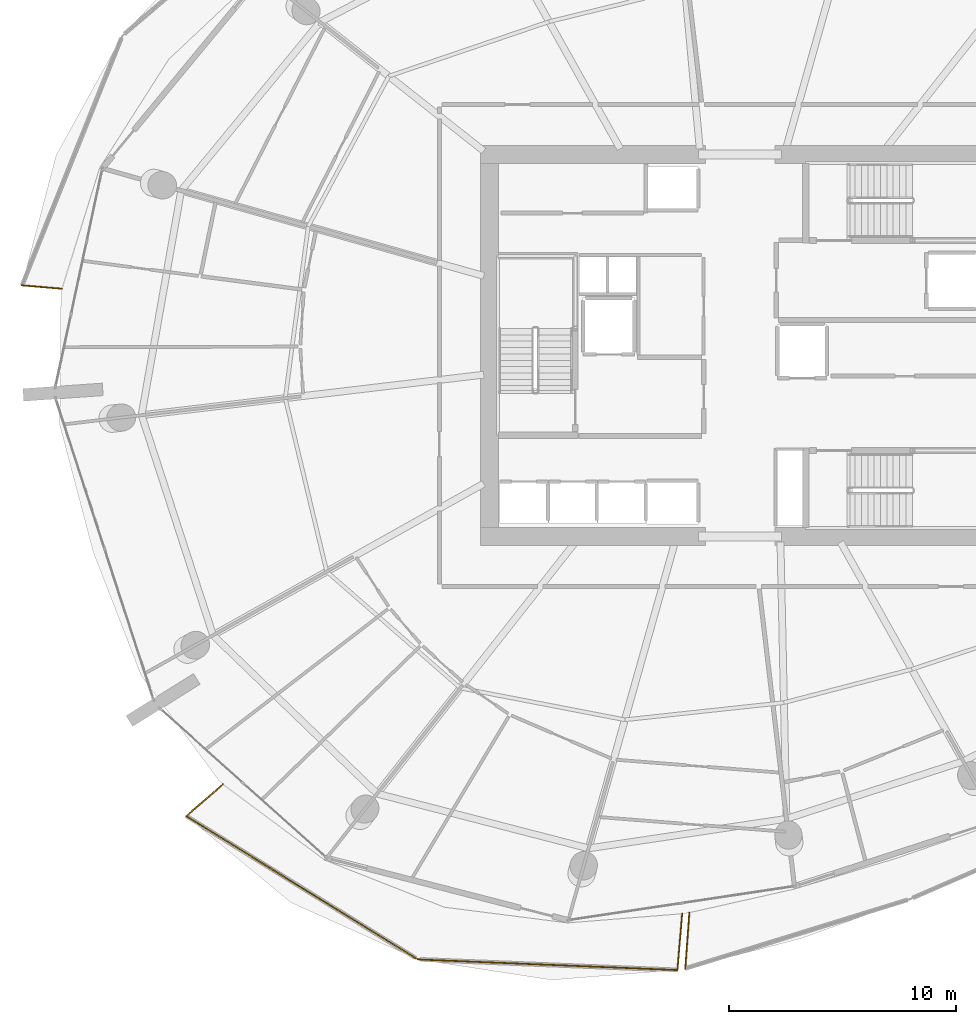
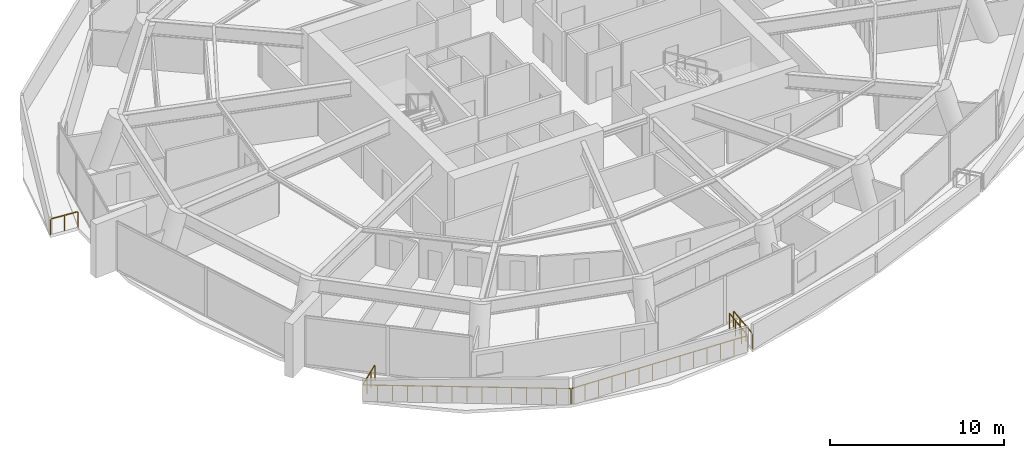
# One storey, part 17 of 23: 6 railings.
"""IFC4 building model written with IfcOpenShell, lengths in metres."""

from ifc_helpers import new_model, si_unit, direction, frame, origin, origin_2d, place, context, subcontext, project, spatial, rectangle, extrude, material, type_object, element, save


model = new_model("IFC4")

# Units and contexts
model_context = context("Model", 3, precision=1e-05, world=origin(), true_north=direction((0.0, 1.0)))
body_context = subcontext(model_context, "Body", "Model", "MODEL_VIEW")
ifc_project = project(units=[si_unit("LENGTHUNIT", "METRE"), si_unit("AREAUNIT", "SQUARE_METRE"), si_unit("VOLUMEUNIT", "CUBIC_METRE"), si_unit("PLANEANGLEUNIT", "RADIAN"), si_unit("MASSUNIT", "GRAM", prefix="KILO")], contexts=[model_context])

# Site, building, storey
site_placement = place(None, origin())
site = spatial("IfcSite", under=ifc_project, at=site_placement, CompositionType="ELEMENT")
building_placement = place(site_placement, origin())
building = spatial("IfcBuilding", under=site, at=building_placement, Name="Kazma Halo Residences", CompositionType="ELEMENT")
storey_placement = place(building_placement, frame((0.0, 0.0, 112.64990234375)))
storey = spatial("IfcBuildingStorey", under=building, at=storey_placement, Name="L28", CompositionType="ELEMENT", Elevation=112.64990234375)

# Railings
ifc_material = material(Name="Aluminium AW-6063 T6 Brushed Cap Rail", Category="aluminium")
railing_type = type_object("IfcRailingType", Name="RLG-BAL-CAP-1120", PredefinedType="BALUSTRADE", material=ifc_material)
railing_1_placement = place(storey_placement, frame((16.84033203125, 44.643798828125, 0.0)))
element("IfcRailing", 1, at=railing_1_placement, inside=storey, type_object=railing_type, Name="L28 NW wave balcony guard 4", PredefinedType="BALUSTRADE", context=body_context, shape_type="SweptSolid", body=[
    extrude(rectangle(XDim=0.050048828125, YDim=0.050048828125, at=origin_2d()), frame((0.04248046875, -0.003662109375, 1.09521484375), z_axis=(0.996422166926, -0.08451547349, 0.0), x_axis=(0.08451547349, 0.996422166926, 0.0)), (0.0, 0.0, 1.0), 1.674072265625),
    extrude(rectangle(XDim=0.0400390625, YDim=0.0400390625, at=origin_2d()), origin(), (0.0, 0.0, 1.0), 1.05810546875),
    extrude(rectangle(XDim=0.0400390625, YDim=0.0400390625, at=origin_2d()), frame((0.87646484375, -0.07421875, 0.0)), (0.0, 0.0, 1.0), 1.05810546875),
    extrude(rectangle(XDim=0.0400390625, YDim=0.0400390625, at=origin_2d()), frame((1.7529296875, -0.148681640625, 0.0)), (0.0, 0.0, 1.0), 1.05810546875),
])
railing_2_placement = place(storey_placement, frame((25.676025390625, 22.696533203125, 0.0)))
element("IfcRailing", 2, at=railing_2_placement, inside=storey, type_object=railing_type, Name="L28 SW wave balcony guard 1", PredefinedType="BALUSTRADE", context=body_context, shape_type="SweptSolid", body=[
    extrude(rectangle(XDim=0.050048828125, YDim=0.050048828125, at=origin_2d()), frame((-0.0322265625, -0.02783203125, 1.09521484375), z_axis=(-0.756384633823, -0.654127117399, 0.0), x_axis=(0.654127117399, -0.756384633823, 0.0)), (0.0, 0.0, 1.0), 2.044677734375),
    extrude(rectangle(XDim=0.0400390625, YDim=0.0400390625, at=origin_2d()), origin(), (0.0, 0.0, 1.0), 1.05810546875),
    extrude(rectangle(XDim=0.0400390625, YDim=0.0400390625, at=origin_2d()), frame((-0.536865234375, -0.46435546875, 0.0)), (0.0, 0.0, 1.0), 1.05810546875),
    extrude(rectangle(XDim=0.0400390625, YDim=0.0400390625, at=origin_2d()), frame((-1.073974609375, -0.9287109375, 0.0)), (0.0, 0.0, 1.0), 1.05810546875),
    extrude(rectangle(XDim=0.0400390625, YDim=0.0400390625, at=origin_2d()), frame((-1.61083984375, -1.39306640625, 0.0)), (0.0, 0.0, 1.0), 1.05810546875),
])
railing_3_placement = place(storey_placement, frame((24.065185546875, 21.303466796875, 0.0)))
element("IfcRailing", 3, at=railing_3_placement, inside=storey, type_object=railing_type, Name="L28 SW wave balcony guard 2", PredefinedType="BALUSTRADE", context=body_context, shape_type="SweptSolid", body=[
    extrude(rectangle(XDim=0.050048828125, YDim=0.050048828125, at=origin_2d()), frame((0.0361328125, -0.0224609375, 1.09521484375), z_axis=(0.850139519216, -0.526557497209, 0.0), x_axis=(0.526557497209, 0.850139519216, 0.0)), (0.0, 0.0, 1.0), 11.886474609375),
    extrude(rectangle(XDim=0.0400390625, YDim=0.0400390625, at=origin_2d()), origin(), (0.0, 0.0, 1.0), 1.05810546875),
    extrude(rectangle(XDim=0.0400390625, YDim=0.0400390625, at=origin_2d()), frame((0.72705078125, -0.4501953125, 0.0)), (0.0, 0.0, 1.0), 1.05810546875),
    extrude(rectangle(XDim=0.0400390625, YDim=0.0400390625, at=origin_2d()), frame((1.453857421875, -0.900634765625, 0.0)), (0.0, 0.0, 1.0), 1.05810546875),
    extrude(rectangle(XDim=0.0400390625, YDim=0.0400390625, at=origin_2d()), frame((2.180908203125, -1.350830078125, 0.0)), (0.0, 0.0, 1.0), 1.05810546875),
    extrude(rectangle(XDim=0.0400390625, YDim=0.0400390625, at=origin_2d()), frame((2.907958984375, -1.801025390625, 0.0)), (0.0, 0.0, 1.0), 1.05810546875),
    extrude(rectangle(XDim=0.0400390625, YDim=0.0400390625, at=origin_2d()), frame((3.634765625, -2.251220703125, 0.0)), (0.0, 0.0, 1.0), 1.05810546875),
    extrude(rectangle(XDim=0.0400390625, YDim=0.0400390625, at=origin_2d()), frame((4.36181640625, -2.70166015625, 0.0)), (0.0, 0.0, 1.0), 1.05810546875),
    extrude(rectangle(XDim=0.0400390625, YDim=0.0400390625, at=origin_2d()), frame((5.0888671875, -3.15185546875, 0.0)), (0.0, 0.0, 1.0), 1.05810546875),
    extrude(rectangle(XDim=0.0400390625, YDim=0.0400390625, at=origin_2d()), frame((5.815673828125, -3.60205078125, 0.0)), (0.0, 0.0, 1.0), 1.05810546875),
    extrude(rectangle(XDim=0.0400390625, YDim=0.0400390625, at=origin_2d()), frame((6.542724609375, -4.052490234375, 0.0)), (0.0, 0.0, 1.0), 1.05810546875),
    extrude(rectangle(XDim=0.0400390625, YDim=0.0400390625, at=origin_2d()), frame((7.26953125, -4.502685546875, 0.0)), (0.0, 0.0, 1.0), 1.05810546875),
    extrude(rectangle(XDim=0.0400390625, YDim=0.0400390625, at=origin_2d()), frame((7.99658203125, -4.952880859375, 0.0)), (0.0, 0.0, 1.0), 1.05810546875),
    extrude(rectangle(XDim=0.0400390625, YDim=0.0400390625, at=origin_2d()), frame((8.7236328125, -5.403076171875, 0.0)), (0.0, 0.0, 1.0), 1.05810546875),
    extrude(rectangle(XDim=0.0400390625, YDim=0.0400390625, at=origin_2d()), frame((9.450439453125, -5.853515625, 0.0)), (0.0, 0.0, 1.0), 1.05810546875),
    extrude(rectangle(XDim=0.0400390625, YDim=0.0400390625, at=origin_2d()), frame((10.177490234375, -6.3037109375, 0.0)), (0.0, 0.0, 1.0), 1.05810546875),
])
railing_4_placement = place(storey_placement, frame((34.24267578125, 14.999755859375, 0.0)))
element("IfcRailing", 4, at=railing_4_placement, inside=storey, type_object=railing_type, Name="L28 SW wave balcony guard 3", PredefinedType="BALUSTRADE", context=body_context, shape_type="SweptSolid", body=[
    extrude(rectangle(XDim=0.050048828125, YDim=0.050048828125, at=origin_2d()), frame((0.04248046875, -0.001708984375, 1.09521484375), z_axis=(0.99916398264, -0.040881973949, 0.0), x_axis=(0.040881973949, 0.99916398264, 0.0)), (0.0, 0.0, 1.0), 11.35107421875),
    extrude(rectangle(XDim=0.0400390625, YDim=0.0400390625, at=origin_2d()), origin(), (0.0, 0.0, 1.0), 1.05810546875),
    extrude(rectangle(XDim=0.0400390625, YDim=0.0400390625, at=origin_2d()), frame((0.87890625, -0.035888671875, 0.0)), (0.0, 0.0, 1.0), 1.05810546875),
    extrude(rectangle(XDim=0.0400390625, YDim=0.0400390625, at=origin_2d()), frame((1.7578125, -0.072021484375, 0.0)), (0.0, 0.0, 1.0), 1.05810546875),
    extrude(rectangle(XDim=0.0400390625, YDim=0.0400390625, at=origin_2d()), frame((2.636962890625, -0.10791015625, 0.0)), (0.0, 0.0, 1.0), 1.05810546875),
    extrude(rectangle(XDim=0.0400390625, YDim=0.0400390625, at=origin_2d()), frame((3.515869140625, -0.143798828125, 0.0)), (0.0, 0.0, 1.0), 1.05810546875),
    extrude(rectangle(XDim=0.0400390625, YDim=0.0400390625, at=origin_2d()), frame((4.394775390625, -0.179931640625, 0.0)), (0.0, 0.0, 1.0), 1.05810546875),
    extrude(rectangle(XDim=0.0400390625, YDim=0.0400390625, at=origin_2d()), frame((5.273681640625, -0.2158203125, 0.0)), (0.0, 0.0, 1.0), 1.05810546875),
    extrude(rectangle(XDim=0.0400390625, YDim=0.0400390625, at=origin_2d()), frame((6.15283203125, -0.251708984375, 0.0)), (0.0, 0.0, 1.0), 1.05810546875),
    extrude(rectangle(XDim=0.0400390625, YDim=0.0400390625, at=origin_2d()), frame((7.03173828125, -0.28759765625, 0.0)), (0.0, 0.0, 1.0), 1.05810546875),
    extrude(rectangle(XDim=0.0400390625, YDim=0.0400390625, at=origin_2d()), frame((7.91064453125, -0.32373046875, 0.0)), (0.0, 0.0, 1.0), 1.05810546875),
    extrude(rectangle(XDim=0.0400390625, YDim=0.0400390625, at=origin_2d()), frame((8.78955078125, -0.359619140625, 0.0)), (0.0, 0.0, 1.0), 1.05810546875),
    extrude(rectangle(XDim=0.0400390625, YDim=0.0400390625, at=origin_2d()), frame((9.668701171875, -0.3955078125, 0.0)), (0.0, 0.0, 1.0), 1.05810546875),
    extrude(rectangle(XDim=0.0400390625, YDim=0.0400390625, at=origin_2d()), frame((10.547607421875, -0.431640625, 0.0)), (0.0, 0.0, 1.0), 1.05810546875),
    extrude(rectangle(XDim=0.0400390625, YDim=0.0400390625, at=origin_2d()), frame((11.426513671875, -0.467529296875, 0.0)), (0.0, 0.0, 1.0), 1.05810546875),
])
railing_5_placement = place(storey_placement, frame((45.669189453125, 14.5322265625, 0.0)))
element("IfcRailing", 5, at=railing_5_placement, inside=storey, type_object=railing_type, Name="L28 SW wave balcony guard 4", PredefinedType="BALUSTRADE", context=body_context, shape_type="SweptSolid", body=[
    extrude(rectangle(XDim=0.050048828125, YDim=0.050048828125, at=origin_2d()), frame((0.003662109375, 0.04248046875, 1.09521484375), z_axis=(0.084615071296, 0.996413714132, 0.0), x_axis=(-0.996413714132, 0.084615071296, 0.0)), (0.0, 0.0, 1.0), 2.399169921875),
    extrude(rectangle(XDim=0.0400390625, YDim=0.0400390625, at=origin_2d()), origin(), (0.0, 0.0, 1.0), 1.05810546875),
    extrude(rectangle(XDim=0.0400390625, YDim=0.0400390625, at=origin_2d()), frame((0.070068359375, 0.8251953125, 0.0)), (0.0, 0.0, 1.0), 1.05810546875),
    extrude(rectangle(XDim=0.0400390625, YDim=0.0400390625, at=origin_2d()), frame((0.14013671875, 1.650146484375, 0.0)), (0.0, 0.0, 1.0), 1.05810546875),
    extrude(rectangle(XDim=0.0400390625, YDim=0.0400390625, at=origin_2d()), frame((0.210205078125, 2.475341796875, 0.0)), (0.0, 0.0, 1.0), 1.05810546875),
])
railing_6_placement = place(storey_placement, frame((46.18994140625, 17.05419921875, 0.0)))
element("IfcRailing", 6, at=railing_6_placement, inside=storey, type_object=railing_type, Name="L28 SSE wave balcony guard 1", PredefinedType="BALUSTRADE", context=body_context, shape_type="SweptSolid", body=[
    extrude(rectangle(XDim=0.050048828125, YDim=0.050048828125, at=origin_2d()), frame((-0.003173828125, -0.04248046875, 1.09521484375), z_axis=(-0.072365602414, -0.997378172805, 0.0), x_axis=(0.997378172805, -0.072365602414, 0.0)), (0.0, 0.0, 1.0), 2.381103515625),
    extrude(rectangle(XDim=0.0400390625, YDim=0.0400390625, at=origin_2d()), origin(), (0.0, 0.0, 1.0), 1.05810546875),
    extrude(rectangle(XDim=0.0400390625, YDim=0.0400390625, at=origin_2d()), frame((-0.0595703125, -0.81982421875, 0.0)), (0.0, 0.0, 1.0), 1.05810546875),
    extrude(rectangle(XDim=0.0400390625, YDim=0.0400390625, at=origin_2d()), frame((-0.118896484375, -1.639892578125, 0.0)), (0.0, 0.0, 1.0), 1.05810546875),
    extrude(rectangle(XDim=0.0400390625, YDim=0.0400390625, at=origin_2d()), frame((-0.178466796875, -2.459716796875, 0.0)), (0.0, 0.0, 1.0), 1.05810546875),
])

save(model, "model.ifc")
